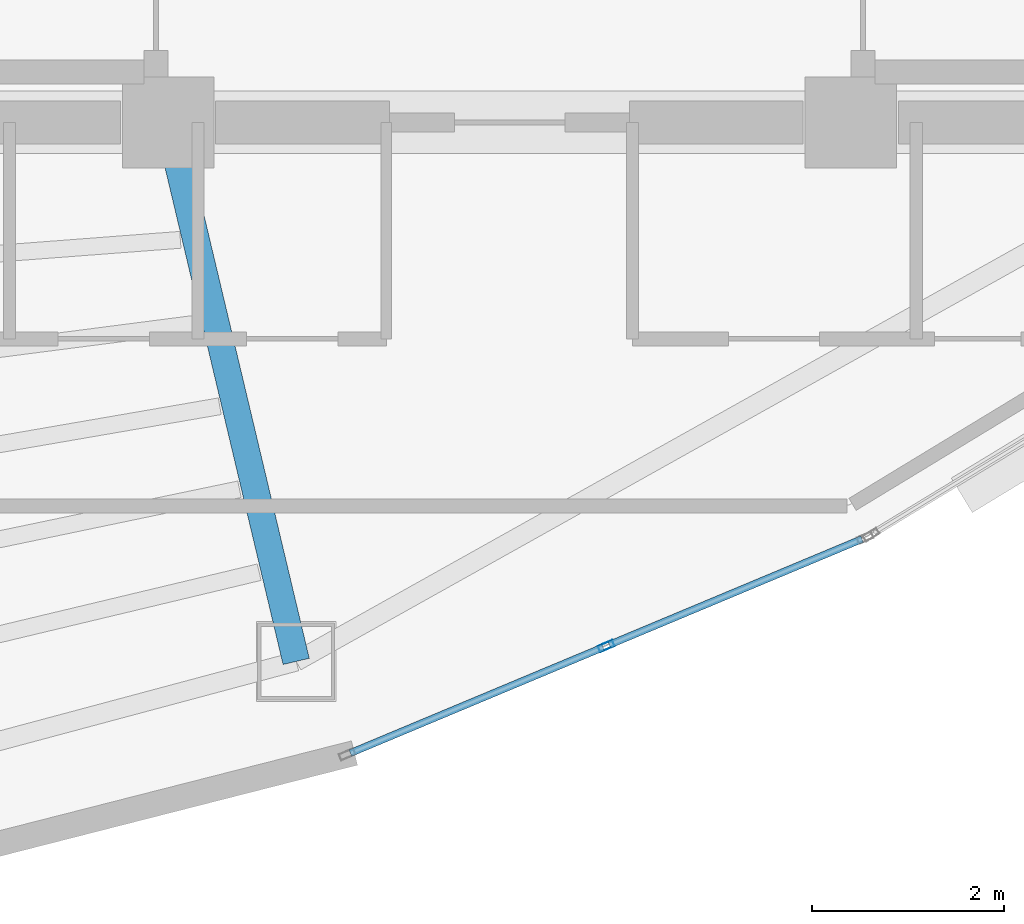
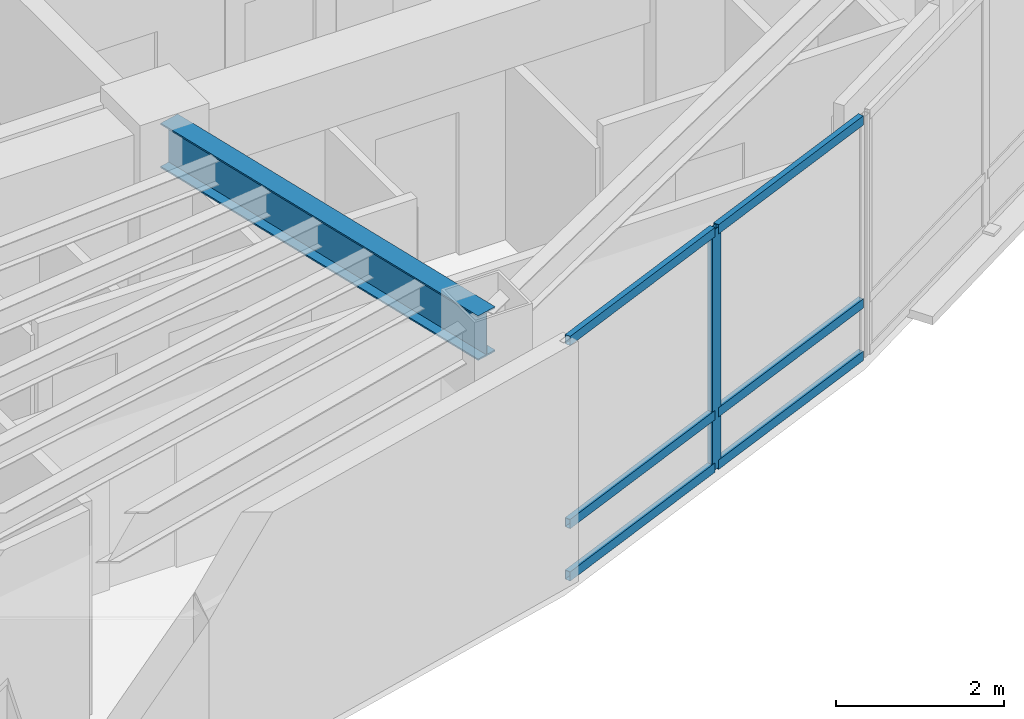
# One storey, part 3 of 16: 7 members, 1 beam, 1 element without a shape of its own.
"""IFC4 building model written with IfcOpenShell, lengths in metres."""

from ifc_helpers import new_model, si_unit, direction, frame, origin, origin_2d, place, context, subcontext, project, spatial, hollow_rectangle, i_section, extrude, material, layer, layer_set, material_profile, profile_set, type_object, element, aggregate, save


model = new_model("IFC4")

# Units and contexts
model_context = context("Model", 3, precision=1e-05, world=origin(), true_north=direction((0.0, 1.0)))
body_context = subcontext(model_context, "Body", "Model", "MODEL_VIEW")
ifc_project = project(units=[si_unit("LENGTHUNIT", "METRE"), si_unit("AREAUNIT", "SQUARE_METRE"), si_unit("VOLUMEUNIT", "CUBIC_METRE"), si_unit("PLANEANGLEUNIT", "RADIAN"), si_unit("MASSUNIT", "GRAM", prefix="KILO")], contexts=[model_context])

# Site, building, storey
site_placement = place(None, origin())
site = spatial("IfcSite", under=ifc_project, at=site_placement, CompositionType="ELEMENT")
building_placement = place(site_placement, origin())
building = spatial("IfcBuilding", under=site, at=building_placement, Name="Menara Vayukalpa", CompositionType="ELEMENT")
storey_placement = place(building_placement, frame((0.0, 0.0, 276.89990234375)))
storey = spatial("IfcBuildingStorey", under=building, at=storey_placement, Name="L70", CompositionType="ELEMENT", Elevation=276.89990234375)

# Beam
ifc_material_1 = material(Name="Steel S355", Category="steel")
ifc_material_profile_1 = material_profile(ifc_material_1, i_section(OverallWidth=0.280029296875, OverallDepth=0.64990234375, WebThickness=0.012939453125, FlangeThickness=0.02197265625, at=origin_2d()), Name="WF 650x280x13x22")
ifc_profile_set_1 = profile_set([ifc_material_profile_1], Name="Steel S355")
beam_type = type_object("IfcBeamType", Name="BM-PG6", PredefinedType="BEAM", material=ifc_profile_set_1)
beam_placement = place(storey_placement, frame((22.10791015625, 16.956787109375, 3.175048828125), z_axis=(0.231167310854, -0.972914011818, 0.0), x_axis=(0.972914011818, 0.231167310854, 0.0)))
element("IfcBeam", 1, at=beam_placement, inside=storey, type_object=beam_type, Name="L70 Primary Radial Girder RG08", PredefinedType="BEAM", context=body_context, shape_type="SweptSolid", body=[
    extrude(i_section(OverallWidth=0.280029296875, OverallDepth=0.64990234375, WebThickness=0.012939453125, FlangeThickness=0.02197265625, at=origin_2d()), origin(), (0.0, 0.0, 1.0), 5.5107421875),
])

# Curtain wall, members
ifc_material_2 = material(Name="Anodised Terracotta Aluminium Alloy 6063-T6", Category="masonry")
ifc_layer = layer(ifc_material_2, 0.1650390625)
ifc_layer_set = layer_set([ifc_layer], Name="Anodised Terracotta Aluminium Alloy 6063-T6")
curtain_wall_type = type_object("IfcCurtainWallType", Name="CW-CW6", PredefinedType="USERDEFINED", material=ifc_layer_set)
curtain_wall_placement = place(storey_placement, origin())
curtain_wall = element("IfcCurtainWall", 2, at=curtain_wall_placement, inside=storey, type_object=curtain_wall_type, Name="L70 Observation and Executive Curtain Wall CW6 16", ObjectType="UNITISED", PredefinedType="USERDEFINED")
ifc_material_3 = material(Name="Anodised Terracotta Aluminium Alloy 6063-T6", Category="masonry")
ifc_material_profile_2 = material_profile(ifc_material_3, hollow_rectangle(XDim=0.070068359375, YDim=0.1650390625, WallThickness=0.00390625, at=origin_2d()), Name="ALU 70x165x4")
ifc_profile_set_2 = profile_set([ifc_material_profile_2], Name="Anodised Terracotta Aluminium Alloy 6063-T6")
member_type_1 = type_object("IfcMemberType", Name="CWM-CW6", PredefinedType="MULLION", material=ifc_profile_set_2)
member_1_placement = place(storey_placement, frame((26.60595703125, 11.7548828125, 0.0), z_axis=(0.0, 0.0, 1.0), x_axis=(-0.385899911703, 0.922540653927, 0.0)))
member_1 = element("IfcMember", 3, at=member_1_placement, type_object=member_type_1, Name="CW6 mullion 2", PredefinedType="MULLION", context=body_context, shape_type="SweptSolid", body=[
    extrude(hollow_rectangle(XDim=0.070068359375, YDim=0.1650390625, WallThickness=0.00390625, at=origin_2d()), origin(), (0.0, 0.0, 1.0), 3.5),
])
ifc_material_4 = material(Name="Anodised Terracotta Aluminium Alloy 6063-T6", Category="masonry")
ifc_material_profile_3 = material_profile(ifc_material_4, hollow_rectangle(XDim=0.074951171875, YDim=0.135009765625, WallThickness=0.00390625, at=origin_2d()), Name="ALU 75x135x4")
ifc_profile_set_3 = profile_set([ifc_material_profile_3], Name="Anodised Terracotta Aluminium Alloy 6063-T6")
member_type_2 = type_object("IfcMemberType", Name="CWT-CW6", PredefinedType="USERDEFINED", material=ifc_profile_set_3)
member_2_placement = place(storey_placement, frame((23.945556640625, 10.64208984375, 0.03759765625), z_axis=(0.922541050276, 0.38589896418, 0.0), x_axis=(-0.38589896418, 0.922541050276, 0.0)))
member_2 = element("IfcMember", 4, at=member_2_placement, type_object=member_type_2, Name="CW6 transom 1.1", ObjectType="TRANSOM", PredefinedType="USERDEFINED", context=body_context, shape_type="SweptSolid", body=[
    extrude(hollow_rectangle(XDim=0.074951171875, YDim=0.135009765625, WallThickness=0.00390625, at=origin_2d()), origin(), (0.0, 0.0, 1.0), 2.848876953125),
])
member_3_placement = place(storey_placement, frame((23.945556640625, 10.64208984375, 0.800048828125), z_axis=(0.922541050276, 0.38589896418, 0.0), x_axis=(-0.38589896418, 0.922541050276, 0.0)))
member_3 = element("IfcMember", 5, at=member_3_placement, type_object=member_type_2, Name="CW6 transom 1.2", ObjectType="TRANSOM", PredefinedType="USERDEFINED", context=body_context, shape_type="SweptSolid", body=[
    extrude(hollow_rectangle(XDim=0.074951171875, YDim=0.135009765625, WallThickness=0.00390625, at=origin_2d()), origin(), (0.0, 0.0, 1.0), 2.848876953125),
])
member_4_placement = place(storey_placement, frame((23.945556640625, 10.64208984375, 3.462646484375), z_axis=(0.922541050276, 0.38589896418, 0.0), x_axis=(-0.38589896418, 0.922541050276, 0.0)))
member_4 = element("IfcMember", 6, at=member_4_placement, type_object=member_type_2, Name="CW6 transom 1.3", ObjectType="TRANSOM", PredefinedType="USERDEFINED", context=body_context, shape_type="SweptSolid", body=[
    extrude(hollow_rectangle(XDim=0.074951171875, YDim=0.135009765625, WallThickness=0.00390625, at=origin_2d()), origin(), (0.0, 0.0, 1.0), 2.848876953125),
])
member_5_placement = place(storey_placement, frame((26.638427734375, 11.768310546875, 0.03759765625), z_axis=(0.922528286758, 0.385929475592, 0.0), x_axis=(-0.385929475592, 0.922528286758, 0.0)))
member_5 = element("IfcMember", 7, at=member_5_placement, type_object=member_type_2, Name="CW6 transom 2.1", ObjectType="TRANSOM", PredefinedType="USERDEFINED", context=body_context, shape_type="SweptSolid", body=[
    extrude(hollow_rectangle(XDim=0.074951171875, YDim=0.135009765625, WallThickness=0.00390625, at=origin_2d()), origin(), (0.0, 0.0, 1.0), 2.8486328125),
])
member_6_placement = place(storey_placement, frame((26.638427734375, 11.768310546875, 0.800048828125), z_axis=(0.922528286758, 0.385929475592, 0.0), x_axis=(-0.385929475592, 0.922528286758, 0.0)))
member_6 = element("IfcMember", 8, at=member_6_placement, type_object=member_type_2, Name="CW6 transom 2.2", ObjectType="TRANSOM", PredefinedType="USERDEFINED", context=body_context, shape_type="SweptSolid", body=[
    extrude(hollow_rectangle(XDim=0.074951171875, YDim=0.135009765625, WallThickness=0.00390625, at=origin_2d()), origin(), (0.0, 0.0, 1.0), 2.8486328125),
])
member_7_placement = place(storey_placement, frame((26.638427734375, 11.768310546875, 3.462646484375), z_axis=(0.922528286758, 0.385929475592, 0.0), x_axis=(-0.385929475592, 0.922528286758, 0.0)))
member_7 = element("IfcMember", 9, at=member_7_placement, type_object=member_type_2, Name="CW6 transom 2.3", ObjectType="TRANSOM", PredefinedType="USERDEFINED", context=body_context, shape_type="SweptSolid", body=[
    extrude(hollow_rectangle(XDim=0.074951171875, YDim=0.135009765625, WallThickness=0.00390625, at=origin_2d()), origin(), (0.0, 0.0, 1.0), 2.8486328125),
])
aggregate(curtain_wall, [member_1, member_2, member_3, member_4, member_5, member_6, member_7])

save(model, "model.ifc")
